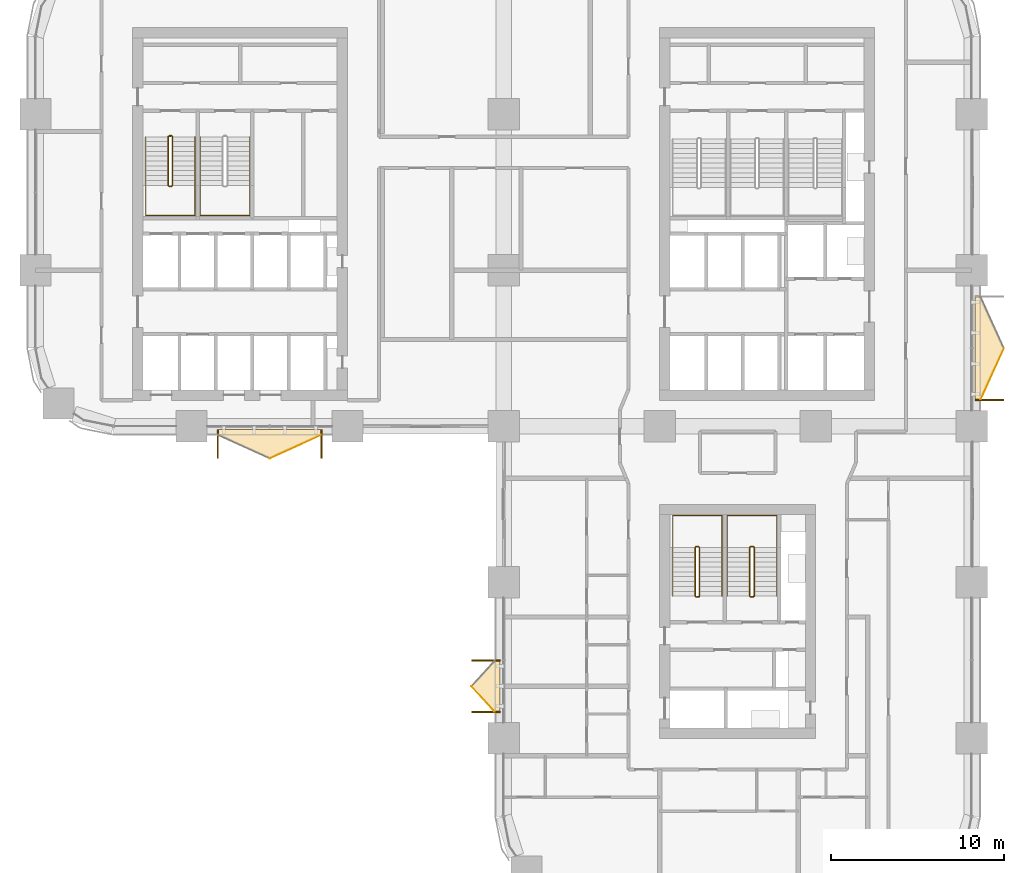
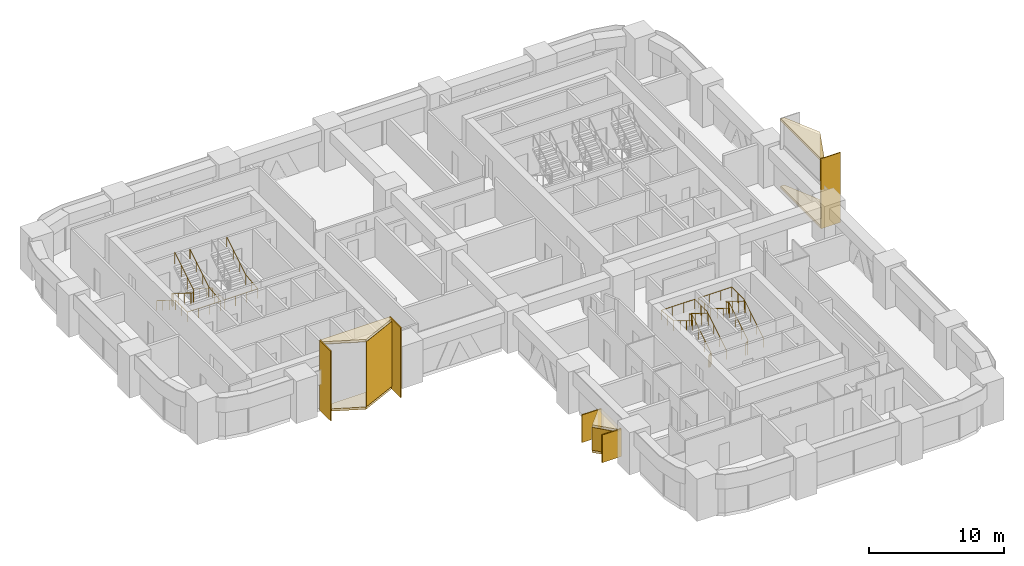
# One storey, part 23 of 24: 14 coverings, 7 railings.
"""IFC4 building model written with IfcOpenShell, lengths in metres."""

from ifc_helpers import new_model, si_unit, direction, frame, origin, origin_2d, place, context, subcontext, project, spatial, polyline, rectangle, circle, outline, extrude, material, layer, layer_set, type_object, element, save


model = new_model("IFC4")

# Units and contexts
model_context = context("Model", 3, precision=1e-05, world=origin(), true_north=direction((0.0, 1.0)))
body_context = subcontext(model_context, "Body", "Model", "MODEL_VIEW")
ifc_project = project(units=[si_unit("LENGTHUNIT", "METRE"), si_unit("AREAUNIT", "SQUARE_METRE"), si_unit("VOLUMEUNIT", "CUBIC_METRE"), si_unit("PLANEANGLEUNIT", "RADIAN"), si_unit("MASSUNIT", "GRAM", prefix="KILO")], contexts=[model_context])

# Site, building, storey
site_placement = place(None, origin())
site = spatial("IfcSite", under=ifc_project, at=site_placement, CompositionType="ELEMENT")
building_placement = place(site_placement, origin())
building = spatial("IfcBuilding", under=site, at=building_placement, Name="Tessera Arch", CompositionType="ELEMENT")
storey_placement = place(building_placement, frame((0.0, 0.0, 81.60009765625)))
storey = spatial("IfcBuildingStorey", under=building, at=storey_placement, Name="L18", CompositionType="ELEMENT", Elevation=81.60009765625)

# Railings
ifc_material_1 = material(Name="Painted steel balustrade", Category="steel")
railing_type_1 = type_object("IfcRailingType", Name="Stair guard 1100", PredefinedType="GUARDRAIL", material=ifc_material_1)
railing_1_placement = place(storey_placement, frame((7.699951171875, 43.75, 0.0)))
element("IfcRailing", 1, at=railing_1_placement, inside=storey, type_object=railing_type_1, Name="L18 S2a stair guard 1", PredefinedType="GUARDRAIL", context=body_context, shape_type="SweptSolid", body=[
    extrude(circle(Radius=0.02392578125, at=origin_2d()), frame((-0.00390625, 0.0, 1.076171875), z_axis=(1.0, 0.0, 0.0), x_axis=(0.0, 1.0, 0.0)), (0.0, 0.0, 1.0), 0.158203125),
    extrude(circle(Radius=0.02392578125, at=origin_2d()), frame((0.153076171875, 0.000732421875, 1.073486328125), z_axis=(-0.744141464035, -0.186035366009, 0.641595140332), x_axis=(0.242535625036, -0.970142500145, 0.0)), (0.0, 0.0, 1.0), 0.277099609375),
    extrude(circle(Radius=0.02392578125, at=origin_2d()), frame((-0.050048828125, -0.046630859375, 1.24658203125), z_axis=(0.0, -0.851089632645, 0.525020415988), x_axis=(1.0, 0.0, 0.0)), (0.0, 0.0, 1.0), 3.2978515625),
    extrude(circle(Radius=0.02392578125, at=origin_2d()), frame((-0.052978515625, -2.84716796875, 2.97607421875), z_axis=(0.708833529934, -0.705375805398, 0.0), x_axis=(0.705375805398, 0.708833529934, 0.0)), (0.0, 0.0, 1.0), 0.07861328125),
    extrude(circle(Radius=0.02392578125, at=origin_2d()), frame((-0.00390625, -2.89990234375, 2.97607421875), z_axis=(1.0, 0.0, 0.0), x_axis=(0.0, 1.0, 0.0)), (0.0, 0.0, 1.0), 0.158203125),
    extrude(circle(Radius=0.02392578125, at=origin_2d()), frame((0.149169921875, -2.90087890625, 2.97216796875), z_axis=(0.26715648603, 0.26715648603, 0.925880566782), x_axis=(-0.707106781187, 0.707106781187, 0.0)), (0.0, 0.0, 1.0), 0.1943359375),
    extrude(circle(Radius=0.02392578125, at=origin_2d()), frame((0.199951171875, -2.853515625, 3.146484375), z_axis=(0.0, 0.851089632645, 0.525020415988), x_axis=(-1.0, 0.0, 0.0)), (0.0, 0.0, 1.0), 3.2978515625),
    extrude(circle(Radius=0.02099609375, at=origin_2d()), origin(), (0.0, 0.0, 1.0), 1.06396484375),
    extrude(circle(Radius=0.02099609375, at=origin_2d()), frame((0.150146484375, 0.0, 0.0)), (0.0, 0.0, 1.0), 1.06396484375),
    extrude(circle(Radius=0.02099609375, at=origin_2d()), frame((-0.050048828125, -0.050048828125, 0.172607421875)), (0.0, 0.0, 1.0), 1.06396484375),
    extrude(circle(Radius=0.02099609375, at=origin_2d()), frame((-0.050048828125, -0.9833984375, 0.748291015625)), (0.0, 0.0, 1.0), 1.06396484375),
    extrude(circle(Radius=0.02099609375, at=origin_2d()), frame((-0.050048828125, -1.916748046875, 1.32421875)), (0.0, 0.0, 1.0), 1.06396484375),
    extrude(circle(Radius=0.02099609375, at=origin_2d()), frame((-0.050048828125, -2.85009765625, 1.89990234375)), (0.0, 0.0, 1.0), 1.06396484375),
    extrude(circle(Radius=0.02099609375, at=origin_2d()), frame((0.0, -2.89990234375, 1.89990234375)), (0.0, 0.0, 1.0), 1.06396484375),
    extrude(circle(Radius=0.02099609375, at=origin_2d()), frame((0.150146484375, -2.89990234375, 1.89990234375)), (0.0, 0.0, 1.0), 1.06396484375),
    extrude(circle(Radius=0.02099609375, at=origin_2d()), frame((0.199951171875, -2.85009765625, 2.072509765625)), (0.0, 0.0, 1.0), 1.06396484375),
    extrude(circle(Radius=0.02099609375, at=origin_2d()), frame((0.199951171875, -1.916748046875, 2.648193359375)), (0.0, 0.0, 1.0), 1.06396484375),
    extrude(circle(Radius=0.02099609375, at=origin_2d()), frame((0.199951171875, -0.9833984375, 3.22412109375)), (0.0, 0.0, 1.0), 1.06396484375),
    extrude(circle(Radius=0.02099609375, at=origin_2d()), frame((0.199951171875, -0.050048828125, 3.7998046875)), (0.0, 0.0, 1.0), 1.06396484375),
])
railing_2_placement = place(storey_placement, frame((38.25, 17.14990234375, 0.0)))
element("IfcRailing", 2, at=railing_2_placement, inside=storey, type_object=railing_type_1, Name="L18 S3a stair guard 1", PredefinedType="GUARDRAIL", context=body_context, shape_type="SweptSolid", body=[
    extrude(circle(Radius=0.02392578125, at=origin_2d()), frame((0.00390625, 0.0, 1.076171875), z_axis=(-1.0, 0.0, 0.0), x_axis=(0.0, -1.0, 0.0)), (0.0, 0.0, 1.0), 0.157958984375),
    extrude(circle(Radius=0.02392578125, at=origin_2d()), frame((-0.15283203125, -0.000732421875, 1.073486328125), z_axis=(0.743736083135, 0.18616104645, 0.642028584587), x_axis=(-0.242814311512, 0.970072785993, 0.0)), (0.0, 0.0, 1.0), 0.27685546875),
    extrude(circle(Radius=0.02392578125, at=origin_2d()), frame((0.050048828125, 0.046630859375, 1.24658203125), z_axis=(0.0, 0.851089632645, 0.525020415988), x_axis=(-1.0, 0.0, 0.0)), (0.0, 0.0, 1.0), 3.2978515625),
    extrude(circle(Radius=0.02392578125, at=origin_2d()), frame((0.052978515625, 2.84716796875, 2.97607421875), z_axis=(-0.707106781187, 0.707106781187, 0.0), x_axis=(-0.707106781187, -0.707106781187, 0.0)), (0.0, 0.0, 1.0), 0.078857421875),
    extrude(circle(Radius=0.02392578125, at=origin_2d()), frame((0.00390625, 2.900146484375, 2.97607421875), z_axis=(-1.0, 0.0, 0.0), x_axis=(0.0, -1.0, 0.0)), (0.0, 0.0, 1.0), 0.157958984375),
    extrude(circle(Radius=0.02392578125, at=origin_2d()), frame((-0.14892578125, 2.901123046875, 2.97216796875), z_axis=(-0.268277960024, -0.268277960024, 0.925231793839), x_axis=(0.707106781187, -0.707106781187, 0.0)), (0.0, 0.0, 1.0), 0.194580078125),
    extrude(circle(Radius=0.02392578125, at=origin_2d()), frame((-0.199951171875, 2.853515625, 3.146484375), z_axis=(0.0, -0.851089632645, 0.525020415988), x_axis=(1.0, 0.0, 0.0)), (0.0, 0.0, 1.0), 3.2978515625),
    extrude(circle(Radius=0.02099609375, at=origin_2d()), origin(), (0.0, 0.0, 1.0), 1.06396484375),
    extrude(circle(Radius=0.02099609375, at=origin_2d()), frame((-0.14990234375, 0.0, 0.0)), (0.0, 0.0, 1.0), 1.06396484375),
    extrude(circle(Radius=0.02099609375, at=origin_2d()), frame((0.050048828125, 0.050048828125, 0.172607421875)), (0.0, 0.0, 1.0), 1.06396484375),
    extrude(circle(Radius=0.02099609375, at=origin_2d()), frame((0.050048828125, 0.9833984375, 0.748291015625)), (0.0, 0.0, 1.0), 1.06396484375),
    extrude(circle(Radius=0.02099609375, at=origin_2d()), frame((0.050048828125, 1.916748046875, 1.32421875)), (0.0, 0.0, 1.0), 1.06396484375),
    extrude(circle(Radius=0.02099609375, at=origin_2d()), frame((0.050048828125, 2.85009765625, 1.89990234375)), (0.0, 0.0, 1.0), 1.06396484375),
    extrude(circle(Radius=0.02099609375, at=origin_2d()), frame((0.0, 2.900146484375, 1.89990234375)), (0.0, 0.0, 1.0), 1.06396484375),
    extrude(circle(Radius=0.02099609375, at=origin_2d()), frame((-0.14990234375, 2.900146484375, 1.89990234375)), (0.0, 0.0, 1.0), 1.06396484375),
    extrude(circle(Radius=0.02099609375, at=origin_2d()), frame((-0.199951171875, 2.85009765625, 2.072509765625)), (0.0, 0.0, 1.0), 1.06396484375),
    extrude(circle(Radius=0.02099609375, at=origin_2d()), frame((-0.199951171875, 1.916748046875, 2.648193359375)), (0.0, 0.0, 1.0), 1.06396484375),
    extrude(circle(Radius=0.02099609375, at=origin_2d()), frame((-0.199951171875, 0.9833984375, 3.22412109375)), (0.0, 0.0, 1.0), 1.06396484375),
    extrude(circle(Radius=0.02099609375, at=origin_2d()), frame((-0.199951171875, 0.050048828125, 3.7998046875)), (0.0, 0.0, 1.0), 1.06396484375),
])
railing_3_placement = place(storey_placement, frame((41.39990234375, 17.14990234375, 0.0)))
element("IfcRailing", 3, at=railing_3_placement, inside=storey, type_object=railing_type_1, Name="L18 S3b stair guard 1", PredefinedType="GUARDRAIL", context=body_context, shape_type="SweptSolid", body=[
    extrude(circle(Radius=0.02392578125, at=origin_2d()), frame((0.00390625, 0.0, 1.076171875), z_axis=(-1.0, 0.0, 0.0), x_axis=(0.0, -1.0, 0.0)), (0.0, 0.0, 1.0), 0.157958984375),
    extrude(circle(Radius=0.02392578125, at=origin_2d()), frame((-0.15283203125, -0.000732421875, 1.073486328125), z_axis=(0.743736083135, 0.18616104645, 0.642028584587), x_axis=(-0.242814311512, 0.970072785993, 0.0)), (0.0, 0.0, 1.0), 0.27685546875),
    extrude(circle(Radius=0.02392578125, at=origin_2d()), frame((0.050048828125, 0.046630859375, 1.24658203125), z_axis=(0.0, 0.851089632645, 0.525020415988), x_axis=(-1.0, 0.0, 0.0)), (0.0, 0.0, 1.0), 3.2978515625),
    extrude(circle(Radius=0.02392578125, at=origin_2d()), frame((0.052978515625, 2.84716796875, 2.97607421875), z_axis=(-0.707106781187, 0.707106781187, 0.0), x_axis=(-0.707106781187, -0.707106781187, 0.0)), (0.0, 0.0, 1.0), 0.078857421875),
    extrude(circle(Radius=0.02392578125, at=origin_2d()), frame((0.00390625, 2.900146484375, 2.97607421875), z_axis=(-1.0, 0.0, 0.0), x_axis=(0.0, -1.0, 0.0)), (0.0, 0.0, 1.0), 0.157958984375),
    extrude(circle(Radius=0.02392578125, at=origin_2d()), frame((-0.14892578125, 2.901123046875, 2.97216796875), z_axis=(-0.268277960024, -0.268277960024, 0.925231793839), x_axis=(0.707106781187, -0.707106781187, 0.0)), (0.0, 0.0, 1.0), 0.194580078125),
    extrude(circle(Radius=0.02392578125, at=origin_2d()), frame((-0.199951171875, 2.853515625, 3.146484375), z_axis=(0.0, -0.851089632645, 0.525020415988), x_axis=(1.0, 0.0, 0.0)), (0.0, 0.0, 1.0), 3.2978515625),
    extrude(circle(Radius=0.02099609375, at=origin_2d()), origin(), (0.0, 0.0, 1.0), 1.06396484375),
    extrude(circle(Radius=0.02099609375, at=origin_2d()), frame((-0.14990234375, 0.0, 0.0)), (0.0, 0.0, 1.0), 1.06396484375),
    extrude(circle(Radius=0.02099609375, at=origin_2d()), frame((0.050048828125, 0.050048828125, 0.172607421875)), (0.0, 0.0, 1.0), 1.06396484375),
    extrude(circle(Radius=0.02099609375, at=origin_2d()), frame((0.050048828125, 0.9833984375, 0.748291015625)), (0.0, 0.0, 1.0), 1.06396484375),
    extrude(circle(Radius=0.02099609375, at=origin_2d()), frame((0.050048828125, 1.916748046875, 1.32421875)), (0.0, 0.0, 1.0), 1.06396484375),
    extrude(circle(Radius=0.02099609375, at=origin_2d()), frame((0.050048828125, 2.85009765625, 1.89990234375)), (0.0, 0.0, 1.0), 1.06396484375),
    extrude(circle(Radius=0.02099609375, at=origin_2d()), frame((0.0, 2.900146484375, 1.89990234375)), (0.0, 0.0, 1.0), 1.06396484375),
    extrude(circle(Radius=0.02099609375, at=origin_2d()), frame((-0.14990234375, 2.900146484375, 1.89990234375)), (0.0, 0.0, 1.0), 1.06396484375),
    extrude(circle(Radius=0.02099609375, at=origin_2d()), frame((-0.199951171875, 2.85009765625, 2.072509765625)), (0.0, 0.0, 1.0), 1.06396484375),
    extrude(circle(Radius=0.02099609375, at=origin_2d()), frame((-0.199951171875, 1.916748046875, 2.648193359375)), (0.0, 0.0, 1.0), 1.06396484375),
    extrude(circle(Radius=0.02099609375, at=origin_2d()), frame((-0.199951171875, 0.9833984375, 3.22412109375)), (0.0, 0.0, 1.0), 1.06396484375),
    extrude(circle(Radius=0.02099609375, at=origin_2d()), frame((-0.199951171875, 0.050048828125, 3.7998046875)), (0.0, 0.0, 1.0), 1.06396484375),
])
ifc_material_2 = material(Name="Painted steel handrail", Category="steel")
railing_type_2 = type_object("IfcRailingType", Name="Stair handrail 900", PredefinedType="HANDRAIL", material=ifc_material_2)
railing_4_placement = place(storey_placement, frame((6.35009765625, 43.699951171875, 0.172607421875)))
element("IfcRailing", 4, at=railing_4_placement, inside=storey, type_object=railing_type_2, Name="L18 S2a stair handrail", PredefinedType="HANDRAIL", context=body_context, shape_type="SweptSolid", body=[
    extrude(circle(Radius=0.02392578125, at=origin_2d()), frame((0.0, 0.00341796875, 0.873779296875), z_axis=(0.0, -0.851089632645, 0.525020415988), x_axis=(1.0, 0.0, 0.0)), (0.0, 0.0, 1.0), 3.2978515625),
    extrude(circle(Radius=0.02392578125, at=origin_2d()), frame((0.0, -2.796142578125, 2.60302734375), z_axis=(0.0, -1.0, 0.0), x_axis=(1.0, 0.0, 0.0)), (0.0, 0.0, 1.0), 1.758056640625),
    extrude(circle(Radius=0.02392578125, at=origin_2d()), frame((-0.00390625, -4.550048828125, 2.60302734375), z_axis=(1.0, 0.0, 0.0), x_axis=(0.0, 1.0, 0.0)), (0.0, 0.0, 1.0), 2.85791015625),
    extrude(circle(Radius=0.02392578125, at=origin_2d()), frame((2.849853515625, -4.553955078125, 2.602783203125), z_axis=(0.0, 0.995170989745, 0.098156513637), x_axis=(-1.0, 0.0, 0.0)), (0.0, 0.0, 1.0), 1.7666015625),
    extrude(circle(Radius=0.02392578125, at=origin_2d()), frame((2.849853515625, -2.803466796875, 2.773681640625), z_axis=(0.0, 0.851089632645, 0.525020415988), x_axis=(-1.0, 0.0, 0.0)), (0.0, 0.0, 1.0), 3.2978515625),
    extrude(circle(Radius=0.02099609375, at=origin_2d()), origin(), (0.0, 0.0, 1.0), 0.86376953125),
    extrude(circle(Radius=0.02099609375, at=origin_2d()), frame((0.0, -0.933349609375, 0.57568359375)), (0.0, 0.0, 1.0), 0.86376953125),
    extrude(circle(Radius=0.02099609375, at=origin_2d()), frame((0.0, -1.86669921875, 1.151611328125)), (0.0, 0.0, 1.0), 0.86376953125),
    extrude(circle(Radius=0.02099609375, at=origin_2d()), frame((0.0, -2.800048828125, 1.727294921875)), (0.0, 0.0, 1.0), 0.86376953125),
    extrude(circle(Radius=0.02099609375, at=origin_2d()), frame((0.0, -3.675048828125, 1.727294921875)), (0.0, 0.0, 1.0), 0.86376953125),
    extrude(circle(Radius=0.02099609375, at=origin_2d()), frame((0.0, -4.550048828125, 1.727294921875)), (0.0, 0.0, 1.0), 0.86376953125),
    extrude(circle(Radius=0.02099609375, at=origin_2d()), frame((0.949951171875, -4.550048828125, 1.727294921875)), (0.0, 0.0, 1.0), 0.86376953125),
    extrude(circle(Radius=0.02099609375, at=origin_2d()), frame((1.89990234375, -4.550048828125, 1.727294921875)), (0.0, 0.0, 1.0), 0.86376953125),
    extrude(circle(Radius=0.02099609375, at=origin_2d()), frame((2.849853515625, -4.550048828125, 1.727294921875)), (0.0, 0.0, 1.0), 0.86376953125),
    extrude(circle(Radius=0.02099609375, at=origin_2d()), frame((2.849853515625, -3.675048828125, 1.8134765625)), (0.0, 0.0, 1.0), 0.86376953125),
    extrude(circle(Radius=0.02099609375, at=origin_2d()), frame((2.849853515625, -2.800048828125, 1.89990234375)), (0.0, 0.0, 1.0), 0.86376953125),
    extrude(circle(Radius=0.02099609375, at=origin_2d()), frame((2.849853515625, -1.86669921875, 2.4755859375)), (0.0, 0.0, 1.0), 0.86376953125),
    extrude(circle(Radius=0.02099609375, at=origin_2d()), frame((2.849853515625, -0.933349609375, 3.051513671875)), (0.0, 0.0, 1.0), 0.86376953125),
    extrude(circle(Radius=0.02099609375, at=origin_2d()), frame((2.849853515625, 0.0, 3.627197265625)), (0.0, 0.0, 1.0), 0.86376953125),
])
railing_5_placement = place(storey_placement, frame((9.5, 43.699951171875, 0.172607421875)))
element("IfcRailing", 5, at=railing_5_placement, inside=storey, type_object=railing_type_2, Name="L18 S2b stair handrail", PredefinedType="HANDRAIL", context=body_context, shape_type="SweptSolid", body=[
    extrude(circle(Radius=0.02392578125, at=origin_2d()), frame((0.0, 0.00341796875, 0.873779296875), z_axis=(0.0, -0.851089632645, 0.525020415988), x_axis=(1.0, 0.0, 0.0)), (0.0, 0.0, 1.0), 3.2978515625),
    extrude(circle(Radius=0.02392578125, at=origin_2d()), frame((0.0, -2.796142578125, 2.60302734375), z_axis=(0.0, -1.0, 0.0), x_axis=(1.0, 0.0, 0.0)), (0.0, 0.0, 1.0), 1.758056640625),
    extrude(circle(Radius=0.02392578125, at=origin_2d()), frame((-0.00390625, -4.550048828125, 2.60302734375), z_axis=(1.0, 0.0, 0.0), x_axis=(0.0, 1.0, 0.0)), (0.0, 0.0, 1.0), 2.858154296875),
    extrude(circle(Radius=0.02392578125, at=origin_2d()), frame((2.85009765625, -4.553955078125, 2.602783203125), z_axis=(0.0, 0.995170989745, 0.098156513637), x_axis=(-1.0, 0.0, 0.0)), (0.0, 0.0, 1.0), 1.7666015625),
    extrude(circle(Radius=0.02392578125, at=origin_2d()), frame((2.85009765625, -2.803466796875, 2.773681640625), z_axis=(0.0, 0.851089632645, 0.525020415988), x_axis=(-1.0, 0.0, 0.0)), (0.0, 0.0, 1.0), 3.2978515625),
    extrude(circle(Radius=0.02099609375, at=origin_2d()), origin(), (0.0, 0.0, 1.0), 0.86376953125),
    extrude(circle(Radius=0.02099609375, at=origin_2d()), frame((0.0, -0.933349609375, 0.57568359375)), (0.0, 0.0, 1.0), 0.86376953125),
    extrude(circle(Radius=0.02099609375, at=origin_2d()), frame((0.0, -1.86669921875, 1.151611328125)), (0.0, 0.0, 1.0), 0.86376953125),
    extrude(circle(Radius=0.02099609375, at=origin_2d()), frame((0.0, -2.800048828125, 1.727294921875)), (0.0, 0.0, 1.0), 0.86376953125),
    extrude(circle(Radius=0.02099609375, at=origin_2d()), frame((0.0, -3.675048828125, 1.727294921875)), (0.0, 0.0, 1.0), 0.86376953125),
    extrude(circle(Radius=0.02099609375, at=origin_2d()), frame((0.0, -4.550048828125, 1.727294921875)), (0.0, 0.0, 1.0), 0.86376953125),
    extrude(circle(Radius=0.02099609375, at=origin_2d()), frame((0.949951171875, -4.550048828125, 1.727294921875)), (0.0, 0.0, 1.0), 0.86376953125),
    extrude(circle(Radius=0.02099609375, at=origin_2d()), frame((1.900146484375, -4.550048828125, 1.727294921875)), (0.0, 0.0, 1.0), 0.86376953125),
    extrude(circle(Radius=0.02099609375, at=origin_2d()), frame((2.85009765625, -4.550048828125, 1.727294921875)), (0.0, 0.0, 1.0), 0.86376953125),
    extrude(circle(Radius=0.02099609375, at=origin_2d()), frame((2.85009765625, -3.675048828125, 1.8134765625)), (0.0, 0.0, 1.0), 0.86376953125),
    extrude(circle(Radius=0.02099609375, at=origin_2d()), frame((2.85009765625, -2.800048828125, 1.89990234375)), (0.0, 0.0, 1.0), 0.86376953125),
    extrude(circle(Radius=0.02099609375, at=origin_2d()), frame((2.85009765625, -1.86669921875, 2.4755859375)), (0.0, 0.0, 1.0), 0.86376953125),
    extrude(circle(Radius=0.02099609375, at=origin_2d()), frame((2.85009765625, -0.933349609375, 3.051513671875)), (0.0, 0.0, 1.0), 0.86376953125),
    extrude(circle(Radius=0.02099609375, at=origin_2d()), frame((2.85009765625, 0.0, 3.627197265625)), (0.0, 0.0, 1.0), 0.86376953125),
])
railing_6_placement = place(storey_placement, frame((39.60009765625, 17.199951171875, 0.172607421875)))
element("IfcRailing", 6, at=railing_6_placement, inside=storey, type_object=railing_type_2, Name="L18 S3a stair handrail", PredefinedType="HANDRAIL", context=body_context, shape_type="SweptSolid", body=[
    extrude(circle(Radius=0.02392578125, at=origin_2d()), frame((0.0, -0.00341796875, 0.873779296875), z_axis=(0.0, 0.851089632645, 0.525020415988), x_axis=(-1.0, 0.0, 0.0)), (0.0, 0.0, 1.0), 3.2978515625),
    extrude(circle(Radius=0.02392578125, at=origin_2d()), frame((0.0, 2.796142578125, 2.60302734375), z_axis=(0.0, 1.0, 0.0), x_axis=(-1.0, 0.0, 0.0)), (0.0, 0.0, 1.0), 1.858154296875),
    extrude(circle(Radius=0.02392578125, at=origin_2d()), frame((0.00390625, 4.650146484375, 2.60302734375), z_axis=(-1.0, 0.0, 0.0), x_axis=(0.0, -1.0, 0.0)), (0.0, 0.0, 1.0), 2.858154296875),
    extrude(circle(Radius=0.02392578125, at=origin_2d()), frame((-2.85009765625, 4.654052734375, 2.602783203125), z_axis=(0.0, -0.995676099079, 0.092892979948), x_axis=(1.0, 0.0, 0.0)), (0.0, 0.0, 1.0), 1.8662109375),
    extrude(circle(Radius=0.02392578125, at=origin_2d()), frame((-2.85009765625, 2.803466796875, 2.773681640625), z_axis=(0.0, -0.851089632645, 0.525020415988), x_axis=(1.0, 0.0, 0.0)), (0.0, 0.0, 1.0), 3.2978515625),
    extrude(circle(Radius=0.02099609375, at=origin_2d()), origin(), (0.0, 0.0, 1.0), 0.86376953125),
    extrude(circle(Radius=0.02099609375, at=origin_2d()), frame((0.0, 0.933349609375, 0.57568359375)), (0.0, 0.0, 1.0), 0.86376953125),
    extrude(circle(Radius=0.02099609375, at=origin_2d()), frame((0.0, 1.86669921875, 1.151611328125)), (0.0, 0.0, 1.0), 0.86376953125),
    extrude(circle(Radius=0.02099609375, at=origin_2d()), frame((0.0, 2.800048828125, 1.727294921875)), (0.0, 0.0, 1.0), 0.86376953125),
    extrude(circle(Radius=0.02099609375, at=origin_2d()), frame((0.0, 3.72509765625, 1.727294921875)), (0.0, 0.0, 1.0), 0.86376953125),
    extrude(circle(Radius=0.02099609375, at=origin_2d()), frame((0.0, 4.650146484375, 1.727294921875)), (0.0, 0.0, 1.0), 0.86376953125),
    extrude(circle(Radius=0.02099609375, at=origin_2d()), frame((-0.949951171875, 4.650146484375, 1.727294921875)), (0.0, 0.0, 1.0), 0.86376953125),
    extrude(circle(Radius=0.02099609375, at=origin_2d()), frame((-1.900146484375, 4.650146484375, 1.727294921875)), (0.0, 0.0, 1.0), 0.86376953125),
    extrude(circle(Radius=0.02099609375, at=origin_2d()), frame((-2.85009765625, 4.650146484375, 1.727294921875)), (0.0, 0.0, 1.0), 0.86376953125),
    extrude(circle(Radius=0.02099609375, at=origin_2d()), frame((-2.85009765625, 3.72509765625, 1.8134765625)), (0.0, 0.0, 1.0), 0.86376953125),
    extrude(circle(Radius=0.02099609375, at=origin_2d()), frame((-2.85009765625, 2.800048828125, 1.89990234375)), (0.0, 0.0, 1.0), 0.86376953125),
    extrude(circle(Radius=0.02099609375, at=origin_2d()), frame((-2.85009765625, 1.86669921875, 2.4755859375)), (0.0, 0.0, 1.0), 0.86376953125),
    extrude(circle(Radius=0.02099609375, at=origin_2d()), frame((-2.85009765625, 0.933349609375, 3.051513671875)), (0.0, 0.0, 1.0), 0.86376953125),
    extrude(circle(Radius=0.02099609375, at=origin_2d()), frame((-2.85009765625, 0.0, 3.627197265625)), (0.0, 0.0, 1.0), 0.86376953125),
])
railing_7_placement = place(storey_placement, frame((42.75, 17.199951171875, 0.172607421875)))
element("IfcRailing", 7, at=railing_7_placement, inside=storey, type_object=railing_type_2, Name="L18 S3b stair handrail", PredefinedType="HANDRAIL", context=body_context, shape_type="SweptSolid", body=[
    extrude(circle(Radius=0.02392578125, at=origin_2d()), frame((0.0, -0.00341796875, 0.873779296875), z_axis=(0.0, 0.851089632645, 0.525020415988), x_axis=(-1.0, 0.0, 0.0)), (0.0, 0.0, 1.0), 3.2978515625),
    extrude(circle(Radius=0.02392578125, at=origin_2d()), frame((0.0, 2.796142578125, 2.60302734375), z_axis=(0.0, 1.0, 0.0), x_axis=(-1.0, 0.0, 0.0)), (0.0, 0.0, 1.0), 1.858154296875),
    extrude(circle(Radius=0.02392578125, at=origin_2d()), frame((0.00390625, 4.650146484375, 2.60302734375), z_axis=(-1.0, 0.0, 0.0), x_axis=(0.0, -1.0, 0.0)), (0.0, 0.0, 1.0), 2.858154296875),
    extrude(circle(Radius=0.02392578125, at=origin_2d()), frame((-2.85009765625, 4.654052734375, 2.602783203125), z_axis=(0.0, -0.995676099079, 0.092892979948), x_axis=(1.0, 0.0, 0.0)), (0.0, 0.0, 1.0), 1.8662109375),
    extrude(circle(Radius=0.02392578125, at=origin_2d()), frame((-2.85009765625, 2.803466796875, 2.773681640625), z_axis=(0.0, -0.851089632645, 0.525020415988), x_axis=(1.0, 0.0, 0.0)), (0.0, 0.0, 1.0), 3.2978515625),
    extrude(circle(Radius=0.02099609375, at=origin_2d()), origin(), (0.0, 0.0, 1.0), 0.86376953125),
    extrude(circle(Radius=0.02099609375, at=origin_2d()), frame((0.0, 0.933349609375, 0.57568359375)), (0.0, 0.0, 1.0), 0.86376953125),
    extrude(circle(Radius=0.02099609375, at=origin_2d()), frame((0.0, 1.86669921875, 1.151611328125)), (0.0, 0.0, 1.0), 0.86376953125),
    extrude(circle(Radius=0.02099609375, at=origin_2d()), frame((0.0, 2.800048828125, 1.727294921875)), (0.0, 0.0, 1.0), 0.86376953125),
    extrude(circle(Radius=0.02099609375, at=origin_2d()), frame((0.0, 3.72509765625, 1.727294921875)), (0.0, 0.0, 1.0), 0.86376953125),
    extrude(circle(Radius=0.02099609375, at=origin_2d()), frame((0.0, 4.650146484375, 1.727294921875)), (0.0, 0.0, 1.0), 0.86376953125),
    extrude(circle(Radius=0.02099609375, at=origin_2d()), frame((-0.949951171875, 4.650146484375, 1.727294921875)), (0.0, 0.0, 1.0), 0.86376953125),
    extrude(circle(Radius=0.02099609375, at=origin_2d()), frame((-1.900146484375, 4.650146484375, 1.727294921875)), (0.0, 0.0, 1.0), 0.86376953125),
    extrude(circle(Radius=0.02099609375, at=origin_2d()), frame((-2.85009765625, 4.650146484375, 1.727294921875)), (0.0, 0.0, 1.0), 0.86376953125),
    extrude(circle(Radius=0.02099609375, at=origin_2d()), frame((-2.85009765625, 3.72509765625, 1.8134765625)), (0.0, 0.0, 1.0), 0.86376953125),
    extrude(circle(Radius=0.02099609375, at=origin_2d()), frame((-2.85009765625, 2.800048828125, 1.89990234375)), (0.0, 0.0, 1.0), 0.86376953125),
    extrude(circle(Radius=0.02099609375, at=origin_2d()), frame((-2.85009765625, 1.86669921875, 2.4755859375)), (0.0, 0.0, 1.0), 0.86376953125),
    extrude(circle(Radius=0.02099609375, at=origin_2d()), frame((-2.85009765625, 0.933349609375, 3.051513671875)), (0.0, 0.0, 1.0), 0.86376953125),
    extrude(circle(Radius=0.02099609375, at=origin_2d()), frame((-2.85009765625, 0.0, 3.627197265625)), (0.0, 0.0, 1.0), 0.86376953125),
])

# Coverings
ifc_material_3 = material(Name="Anodised aluminium pale metal", Category="aluminium")
ifc_layer_1 = layer(ifc_material_3, 0.080078125)
ifc_layer_set_1 = layer_set([ifc_layer_1], Name="Window box cheek")
covering_type_1 = type_object("IfcCoveringType", Name="Window box cheek", PredefinedType="CLADDING", material=ifc_layer_set_1)
covering_1_placement = place(storey_placement, origin())
element("IfcCovering", 8, at=covering_1_placement, inside=storey, type_object=covering_type_1, Name="Window box S27.0/1.0 2x2 cheek", PredefinedType="CLADDING", context=body_context, shape_type="SweptSolid", body=[
    extrude(outline(polyline([(10.469970703125, 25.14990234375), (10.550048828125, 25.14990234375), (10.550048828125, 26.800048828125), (10.469970703125, 26.800048828125), (10.469970703125, 25.14990234375)])), origin(), (0.0, 0.0, 1.0), 6.2998046875),
])
covering_2_placement = place(storey_placement, origin())
element("IfcCovering", 9, at=covering_2_placement, inside=storey, type_object=covering_type_1, Name="Window box S27.0/1.0 2x2 cheek", PredefinedType="CLADDING", context=body_context, shape_type="SweptSolid", body=[
    extrude(outline(polyline([(16.449951171875, 25.14990234375), (16.530029296875, 25.14990234375), (16.530029296875, 26.800048828125), (16.449951171875, 26.800048828125), (16.449951171875, 25.14990234375)])), origin(), (0.0, 0.0, 1.0), 6.2998046875),
])
covering_3_placement = place(storey_placement, origin())
element("IfcCovering", 10, at=covering_3_placement, inside=storey, type_object=covering_type_1, Name="Window box W27.0/1.1 1x1 cheek", PredefinedType="CLADDING", context=body_context, shape_type="SweptSolid", body=[
    extrude(outline(polyline([(25.14990234375, 13.530029296875), (25.14990234375, 13.449951171875), (26.800048828125, 13.449951171875), (26.800048828125, 13.530029296875), (25.14990234375, 13.530029296875)])), origin(), (0.0, 0.0, 1.0), 2.5),
])
covering_4_placement = place(storey_placement, origin())
element("IfcCovering", 11, at=covering_4_placement, inside=storey, type_object=covering_type_1, Name="Window box W27.0/1.1 1x1 cheek", PredefinedType="CLADDING", context=body_context, shape_type="SweptSolid", body=[
    extrude(outline(polyline([(25.14990234375, 10.550048828125), (25.14990234375, 10.469970703125), (26.800048828125, 10.469970703125), (26.800048828125, 10.550048828125), (25.14990234375, 10.550048828125)])), origin(), (0.0, 0.0, 1.0), 2.5),
])
covering_5_placement = place(storey_placement, origin())
element("IfcCovering", 12, at=covering_5_placement, inside=storey, type_object=covering_type_1, Name="Window box E54.0/3.0 2x2 cheek", PredefinedType="CLADDING", context=body_context, shape_type="SweptSolid", body=[
    extrude(outline(polyline([(55.85009765625, 28.469970703125), (55.85009765625, 28.550048828125), (54.199951171875, 28.550048828125), (54.199951171875, 28.469970703125), (55.85009765625, 28.469970703125)])), origin(), (0.0, 0.0, 1.0), 6.2998046875),
])
ifc_material_4 = material(Name="Anodised aluminium gold", Category="aluminium")
ifc_layer_2 = layer(ifc_material_4, 0.219970703125)
ifc_layer_set_2 = layer_set([ifc_layer_2], Name="Window box frame plate gold")
covering_type_2 = type_object("IfcCoveringType", Name="Window box frame plate gold", PredefinedType="CLADDING", material=ifc_layer_set_2)
covering_6_placement = place(storey_placement, origin())
element("IfcCovering", 13, at=covering_6_placement, inside=storey, type_object=covering_type_2, Name="Window box W27.0/1.1 1x1 floor", PredefinedType="CLADDING", context=body_context, shape_type="SweptSolid", body=[
    extrude(outline(polyline([(26.489990234375, 13.449951171875), (25.14990234375, 12.0), (26.489990234375, 10.550048828125), (26.800048828125, 10.550048828125), (26.800048828125, 13.449951171875), (26.489990234375, 13.449951171875)])), origin(), (0.0, 0.0, 1.0), 0.219970703125),
])
covering_7_placement = place(storey_placement, frame((0.0, 0.0, 2.27978515625)))
element("IfcCovering", 14, at=covering_7_placement, inside=storey, type_object=covering_type_2, Name="Window box W27.0/1.1 1x1 roof", PredefinedType="CLADDING", context=body_context, shape_type="SweptSolid", body=[
    extrude(outline(polyline([(26.489990234375, 13.449951171875), (25.14990234375, 12.0), (26.489990234375, 10.550048828125), (26.800048828125, 10.550048828125), (26.800048828125, 13.449951171875), (26.489990234375, 13.449951171875)])), origin(), (0.0, 0.0, 1.0), 0.22021484375),
])
ifc_material_5 = material(Name="Anodised aluminium pale metal", Category="aluminium")
ifc_layer_3 = layer(ifc_material_5, 0.219970703125)
ifc_layer_set_3 = layer_set([ifc_layer_3], Name="Window box frame plate pale metal")
covering_type_3 = type_object("IfcCoveringType", Name="Window box frame plate pale metal", PredefinedType="CLADDING", material=ifc_layer_set_3)
for number, where, name in (
    (15, (0.0, 0.0, 0.0), "Window box S27.0/1.0 2x2 floor"),
    (16, (0.0, 0.0, 6.079833984375), "Window box S27.0/1.0 2x2 roof"),
):
    element("IfcCovering", number, at=place(storey_placement, frame(where)), inside=storey, type_object=covering_type_3, Name=name, PredefinedType="CLADDING", context=body_context, shape_type="SweptSolid", body=[
        extrude(outline(polyline([(10.550048828125, 26.489990234375), (13.5, 25.14990234375), (16.449951171875, 26.489990234375), (16.449951171875, 26.800048828125), (10.550048828125, 26.800048828125), (10.550048828125, 26.489990234375)])), origin(), (0.0, 0.0, 1.0), 0.219970703125),
    ])
for number, where, name in (
    (17, (0.0, 0.0, 0.0), "Window box E54.0/3.0 2x2 floor"),
    (18, (0.0, 0.0, 6.079833984375), "Window box E54.0/3.0 2x2 roof"),
):
    element("IfcCovering", number, at=place(storey_placement, frame(where)), inside=storey, type_object=covering_type_3, Name=name, PredefinedType="CLADDING", context=body_context, shape_type="SweptSolid", body=[
        extrude(outline(polyline([(54.510009765625, 28.550048828125), (55.85009765625, 31.5), (54.510009765625, 34.449951171875), (54.199951171875, 34.449951171875), (54.199951171875, 28.550048828125), (54.510009765625, 28.550048828125)])), origin(), (0.0, 0.0, 1.0), 0.219970703125),
    ])
ifc_material_6 = material(Name="Anodised aluminium pale metal", Category="aluminium")
ifc_layer_4 = layer(ifc_material_6, 0.028076171875)
ifc_layer_set_4 = layer_set([ifc_layer_4], Name="Window box side panel")
covering_type_4 = type_object("IfcCoveringType", Name="Window box side panel", PredefinedType="CLADDING", material=ifc_layer_set_4)
covering_8_placement = place(storey_placement, frame((14.97509765625, 25.820068359375, 0.2197265625), z_axis=(0.0, 0.0, 1.0), x_axis=(-0.910472144558, -0.413570397858, 0.0)))
element("IfcCovering", 19, at=covering_8_placement, inside=storey, type_object=covering_type_4, Name="Window box S27.0/1.0 2x2 side panel", PredefinedType="CLADDING", context=body_context, shape_type="SweptSolid", body=[
    extrude(rectangle(XDim=3.239990234375, YDim=0.028076171875, at=origin_2d()), origin(), (0.0, 0.0, 1.0), 5.860107421875),
])
covering_9_placement = place(storey_placement, frame((25.820068359375, 11.27490234375, 0.219970703125), z_axis=(0.0, 0.0, 1.0), x_axis=(-0.678700720617, 0.734414958885, 0.0)))
element("IfcCovering", 20, at=covering_9_placement, inside=storey, type_object=covering_type_4, Name="Window box W27.0/1.1 1x1 side panel", PredefinedType="CLADDING", context=body_context, shape_type="SweptSolid", body=[
    extrude(rectangle(XDim=1.974365234375, YDim=0.028076171875, at=origin_2d()), origin(), (0.0, 0.0, 1.0), 2.06005859375),
])
covering_10_placement = place(storey_placement, frame((55.179931640625, 30.02490234375, 0.2197265625), z_axis=(0.0, 0.0, 1.0), x_axis=(0.413570397858, 0.910472144558, 0.0)))
element("IfcCovering", 21, at=covering_10_placement, inside=storey, type_object=covering_type_4, Name="Window box E54.0/3.0 2x2 side panel", PredefinedType="CLADDING", context=body_context, shape_type="SweptSolid", body=[
    extrude(rectangle(XDim=3.239990234375, YDim=0.028076171875, at=origin_2d()), origin(), (0.0, 0.0, 1.0), 5.860107421875),
])

save(model, "model.ifc")
